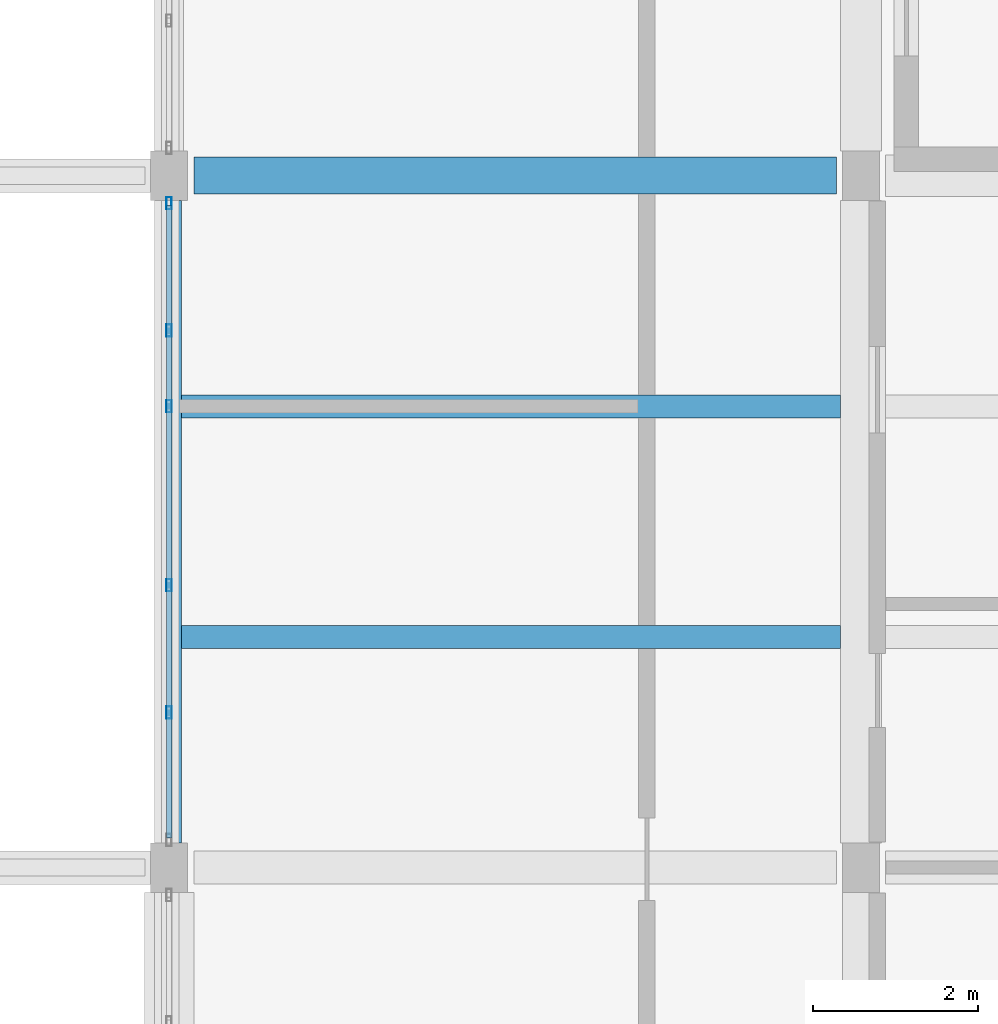
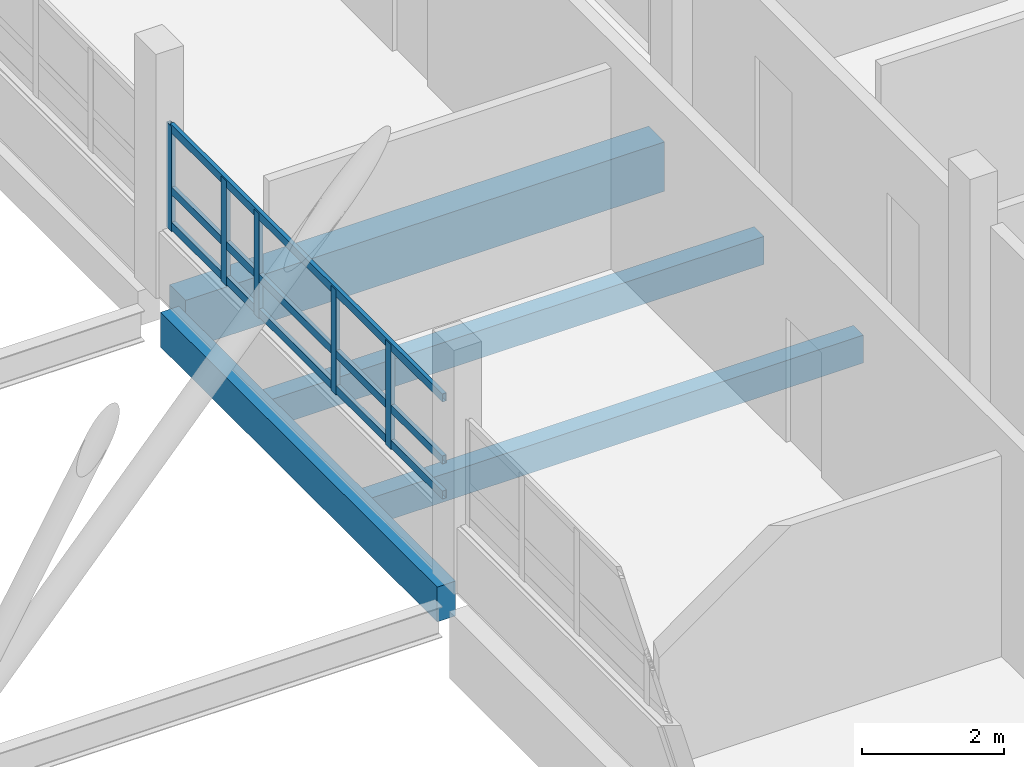
# One storey, part 30 of 107: 8 members, 4 beams, 1 element without a shape of its own.
"""IFC4 building model written with IfcOpenShell, lengths in metres."""

from ifc_helpers import new_model, si_unit, direction, frame, origin, origin_2d, place, context, subcontext, project, spatial, rectangle, hollow_rectangle, extrude, material, layer, layer_set, material_profile, profile_set, type_object, element, aggregate, save


model = new_model("IFC4")

# Units and contexts
model_context = context("Model", 3, precision=1e-05, world=origin(), true_north=direction((0.0, 1.0)))
body_context = subcontext(model_context, "Body", "Model", "MODEL_VIEW")
ifc_project = project(units=[si_unit("LENGTHUNIT", "METRE"), si_unit("AREAUNIT", "SQUARE_METRE"), si_unit("VOLUMEUNIT", "CUBIC_METRE"), si_unit("PLANEANGLEUNIT", "RADIAN"), si_unit("MASSUNIT", "GRAM", prefix="KILO")], contexts=[model_context])

# Site, building, storey
site_placement = place(None, origin())
site = spatial("IfcSite", under=ifc_project, at=site_placement, CompositionType="ELEMENT")
building_placement = place(site_placement, origin())
building = spatial("IfcBuilding", under=site, at=building_placement, Name="Vireocrest Preparatory School", CompositionType="ELEMENT")
storey_placement = place(building_placement, frame((0.0, 0.0, 13.199951171875)))
storey = spatial("IfcBuildingStorey", under=building, at=storey_placement, Name="L03", CompositionType="ELEMENT", Elevation=13.199951171875)

# Curtain wall, members
ifc_material_1 = material(Name="Thermally broken aluminium EN AW-6063-T6", Category="aluminium")
ifc_layer = layer(ifc_material_1, 0.179931640625)
ifc_layer_set = layer_set([ifc_layer], Name="Thermally broken aluminium EN AW-6063-T6")
curtain_wall_type = type_object("IfcCurtainWallType", Name="Court Banded Curtain Wall 8400x3000", PredefinedType="USERDEFINED", material=ifc_layer_set)
curtain_wall_placement = place(storey_placement, origin())
curtain_wall = element("IfcCurtainWall", 1, at=curtain_wall_placement, inside=storey, type_object=curtain_wall_type, Name="Curtain Wall CW02 CW_L03_CW02_0924_0693_144", ObjectType="CURTAIN WALL", PredefinedType="USERDEFINED")
ifc_material_profile_1 = material_profile(ifc_material_1, hollow_rectangle(XDim=0.06494140625, YDim=0.14990234375, WallThickness=0.00390625, at=origin_2d()), Name="ALU 65x150x4")
ifc_profile_set_1 = profile_set([ifc_material_profile_1], Name="Thermally broken aluminium EN AW-6063-T6")
member_type_1 = type_object("IfcMemberType", Name="CW Mullion 65x150x4", PredefinedType="MULLION", material=ifc_profile_set_1)
member_1_placement = place(storey_placement, frame((92.39990234375, 70.881103515625, 1.150146484375), z_axis=(0.0, 0.0, 1.0), x_axis=(1.0, 0.0, 0.0)))
member_1 = element("IfcMember", 2, at=member_1_placement, type_object=member_type_1, Name="CW Mullion ML1 CW_L03_CW02_0924_0693_144-2", PredefinedType="MULLION", context=body_context, shape_type="SweptSolid", body=[
    extrude(hollow_rectangle(XDim=0.06494140625, YDim=0.14990234375, WallThickness=0.00390625, at=origin_2d()), origin(), (0.0, 0.0, 1.0), 1.804931640625),
])
member_2_placement = place(storey_placement, frame((92.39990234375, 72.427001953125, 1.150146484375), z_axis=(0.0, 0.0, 1.0), x_axis=(1.0, 0.0, 0.0)))
member_2 = element("IfcMember", 3, at=member_2_placement, type_object=member_type_1, Name="CW Mullion ML1 CW_L03_CW02_0924_0693_144-3", PredefinedType="MULLION", context=body_context, shape_type="SweptSolid", body=[
    extrude(hollow_rectangle(XDim=0.06494140625, YDim=0.14990234375, WallThickness=0.00390625, at=origin_2d()), origin(), (0.0, 0.0, 1.0), 1.804931640625),
])
member_3_placement = place(storey_placement, frame((92.39990234375, 74.60009765625, 1.150146484375), z_axis=(0.0, 0.0, 1.0), x_axis=(1.0, 0.0, 0.0)))
member_3 = element("IfcMember", 4, at=member_3_placement, type_object=member_type_1, Name="CW Mullion ML1 CW_L03_CW02_0924_0693_144-4", PredefinedType="MULLION", context=body_context, shape_type="SweptSolid", body=[
    extrude(hollow_rectangle(XDim=0.06494140625, YDim=0.14990234375, WallThickness=0.00390625, at=origin_2d()), origin(), (0.0, 0.0, 1.0), 1.804931640625),
])
member_4_placement = place(storey_placement, frame((92.39990234375, 75.51904296875, 1.150146484375), z_axis=(0.0, 0.0, 1.0), x_axis=(1.0, 0.0, 0.0)))
member_4 = element("IfcMember", 5, at=member_4_placement, type_object=member_type_1, Name="CW Mullion ML1 CW_L03_CW02_0924_0693_144-5", PredefinedType="MULLION", context=body_context, shape_type="SweptSolid", body=[
    extrude(hollow_rectangle(XDim=0.06494140625, YDim=0.14990234375, WallThickness=0.00390625, at=origin_2d()), origin(), (0.0, 0.0, 1.0), 1.804931640625),
])
member_5_placement = place(storey_placement, frame((92.39990234375, 77.06494140625, 1.150146484375), z_axis=(0.0, 0.0, 1.0), x_axis=(1.0, 0.0, 0.0)))
member_5 = element("IfcMember", 6, at=member_5_placement, type_object=member_type_1, Name="CW Mullion ML1 CW_L03_CW02_0924_0693_144-6", PredefinedType="MULLION", context=body_context, shape_type="SweptSolid", body=[
    extrude(hollow_rectangle(XDim=0.06494140625, YDim=0.14990234375, WallThickness=0.00390625, at=origin_2d()), origin(), (0.0, 0.0, 1.0), 1.804931640625),
])
ifc_material_profile_2 = material_profile(ifc_material_1, hollow_rectangle(XDim=0.06494140625, YDim=0.139892578125, WallThickness=0.00390625, at=origin_2d()), Name="ALU 65x140x4")
ifc_profile_set_2 = profile_set([ifc_material_profile_2], Name="Thermally broken aluminium EN AW-6063-T6")
member_type_2 = type_object("IfcMemberType", Name="CW Transom 65x140x4", PredefinedType="USERDEFINED", material=ifc_profile_set_2)
member_6_placement = place(storey_placement, frame((92.39990234375, 69.360107421875, 1.2451171875), z_axis=(0.0, 1.0, 0.0), x_axis=(-1.0, 0.0, 0.0)))
member_6 = element("IfcMember", 7, at=member_6_placement, type_object=member_type_2, Name="CW Transom TR1 CW_L03_CW02_0924_0693_144-1", ObjectType="TRANSOM", PredefinedType="USERDEFINED", context=body_context, shape_type="SweptSolid", body=[
    extrude(hollow_rectangle(XDim=0.06494140625, YDim=0.139892578125, WallThickness=0.00390625, at=origin_2d()), origin(), (0.0, 0.0, 1.0), 7.679931640625),
])
member_7_placement = place(storey_placement, frame((92.39990234375, 69.360107421875, 1.85009765625), z_axis=(0.0, 1.0, 0.0), x_axis=(-1.0, 0.0, 0.0)))
member_7 = element("IfcMember", 8, at=member_7_placement, type_object=member_type_2, Name="CW Transom TR1 CW_L03_CW02_0924_0693_144-2", ObjectType="TRANSOM", PredefinedType="USERDEFINED", context=body_context, shape_type="SweptSolid", body=[
    extrude(hollow_rectangle(XDim=0.06494140625, YDim=0.139892578125, WallThickness=0.00390625, at=origin_2d()), origin(), (0.0, 0.0, 1.0), 7.679931640625),
])
member_8_placement = place(storey_placement, frame((92.39990234375, 69.360107421875, 2.9150390625), z_axis=(0.0, 1.0, 0.0), x_axis=(-1.0, 0.0, 0.0)))
member_8 = element("IfcMember", 9, at=member_8_placement, type_object=member_type_2, Name="CW Transom TR1 CW_L03_CW02_0924_0693_144-3", ObjectType="TRANSOM", PredefinedType="USERDEFINED", context=body_context, shape_type="SweptSolid", body=[
    extrude(hollow_rectangle(XDim=0.06494140625, YDim=0.139892578125, WallThickness=0.00390625, at=origin_2d()), origin(), (0.0, 0.0, 1.0), 7.679931640625),
])
aggregate(curtain_wall, [member_1, member_2, member_3, member_4, member_5, member_6, member_7, member_8])

# Beams
ifc_material_2 = material(Name="Concrete 40 MPa", Category="concrete")
ifc_material_profile_3 = material_profile(ifc_material_2, rectangle(XDim=0.300048828125, YDim=0.60009765625, at=origin_2d()), Name="RC 300x600")
ifc_profile_set_3 = profile_set([ifc_material_profile_3], Name="Concrete 40 MPa")
beam_type_1 = type_object("IfcBeamType", Name="RC Classroom Beam 300x600", PredefinedType="BEAM", material=ifc_profile_set_3)
beam_1_placement = place(storey_placement, frame((92.39990234375, 69.300048828125, -0.56005859375), z_axis=(0.0, 1.0, 0.0), x_axis=(-1.0, 0.0, 0.0)))
element("IfcBeam", 10, at=beam_1_placement, inside=storey, type_object=beam_type_1, Name="Primary Girder B03 L03-1148", PredefinedType="BEAM", context=body_context, shape_type="SweptSolid", body=[
    extrude(rectangle(XDim=0.300048828125, YDim=0.60009765625, at=origin_2d()), origin(), (0.0, 0.0, 1.0), 7.800048828125),
])
ifc_material_profile_4 = material_profile(ifc_material_2, rectangle(XDim=0.449951171875, YDim=0.85009765625, at=origin_2d()), Name="RC 450x850")
ifc_profile_set_4 = profile_set([ifc_material_profile_4], Name="Concrete 40 MPa")
beam_type_2 = type_object("IfcBeamType", Name="RC Heavy Floor Girder 450x850", PredefinedType="BEAM", material=ifc_profile_set_4)
beam_2_placement = place(storey_placement, frame((92.699951171875, 77.39990234375, -0.68505859375), z_axis=(1.0, 0.0, 0.0), x_axis=(0.0, 1.0, 0.0)))
element("IfcBeam", 11, at=beam_2_placement, inside=storey, type_object=beam_type_2, Name="Primary Girder B13 L03-1073", PredefinedType="BEAM", context=body_context, shape_type="SweptSolid", body=[
    extrude(rectangle(XDim=0.449951171875, YDim=0.85009765625, at=origin_2d()), origin(), (0.0, 0.0, 1.0), 7.800048828125),
])
ifc_material_profile_5 = material_profile(ifc_material_2, rectangle(XDim=0.280029296875, YDim=0.47998046875, at=origin_2d()), Name="RC 280x480")
ifc_profile_set_5 = profile_set([ifc_material_profile_5], Name="Concrete 40 MPa")
beam_type_3 = type_object("IfcBeamType", Name="RC Secondary Lab Joist 280x480", PredefinedType="JOIST", material=ifc_profile_set_5)
for number, where, z_axis, x_axis, name in (
    (12, (92.550048828125, 71.800048828125, -0.5), (1.0, 0.0, 0.0), (0.0, 1.0, 0.0), "Secondary Joist J02 L03-1249"),
    (13, (92.550048828125, 74.60009765625, -0.5), (1.0, 0.0, 0.0), (0.0, 1.0, 0.0), "Secondary Joist J02 L03-1250"),
):
    element("IfcBeam", number, at=place(storey_placement, frame(where, z_axis=z_axis, x_axis=x_axis)), inside=storey, type_object=beam_type_3, Name=name, PredefinedType="JOIST", context=body_context, shape_type="SweptSolid", body=[
        extrude(rectangle(XDim=0.280029296875, YDim=0.47998046875, at=origin_2d()), origin(), (0.0, 0.0, 1.0), 8.0),
    ])

save(model, "model.ifc")
